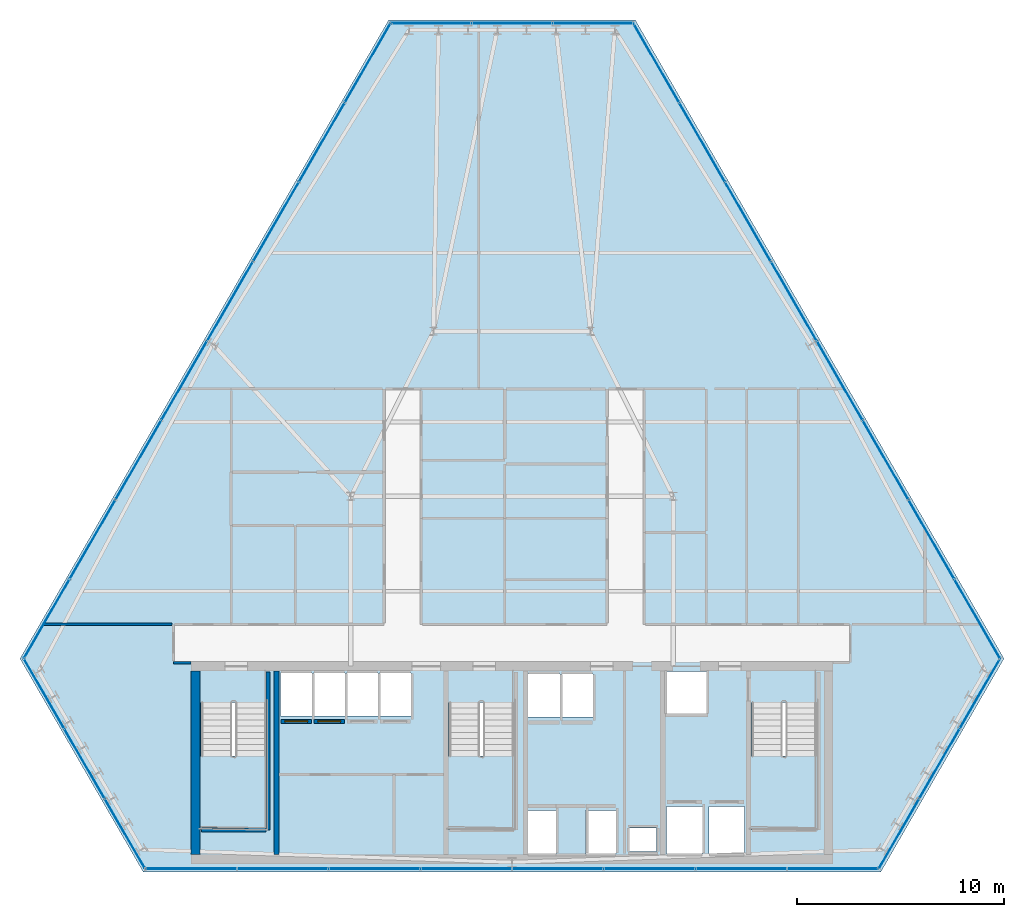
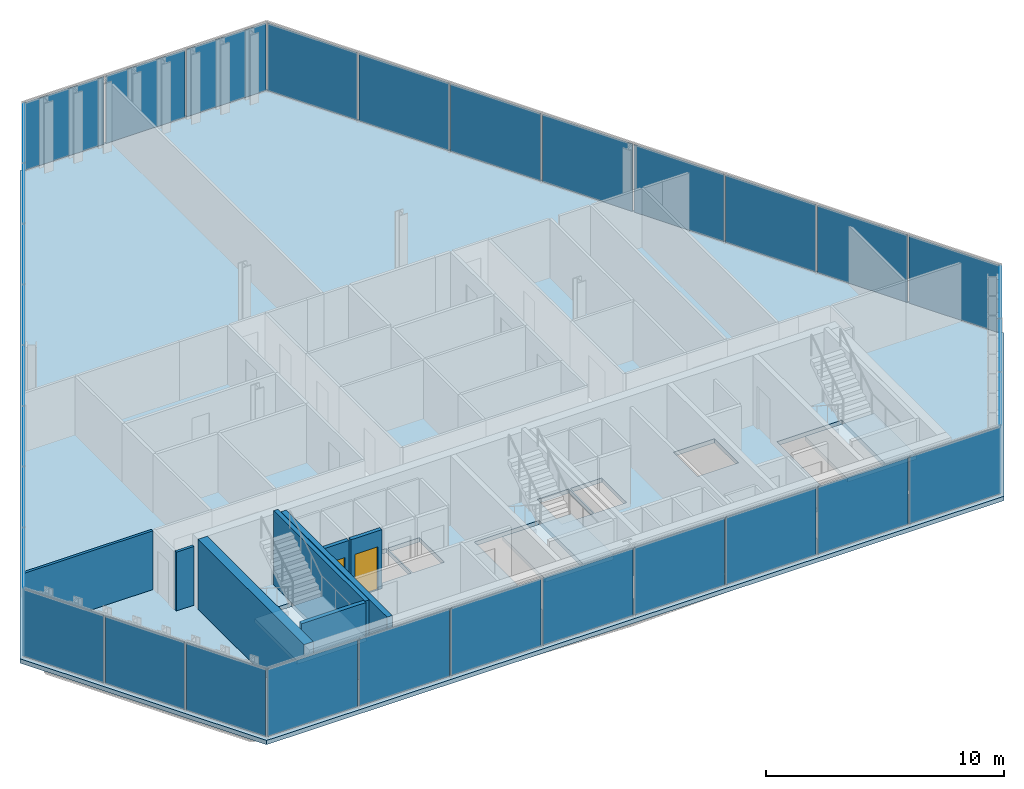
# One storey, part 24 of 31: 33 plates, 8 walls, 4 slabs, 2 doors, 2 openings, 9 elements without a shape of their own.
"""IFC4 building model written with IfcOpenShell, lengths in metres."""

import ifcopenshell
import ifcopenshell.guid

model = None  # the IFC model being written
_history = None  # IfcOwnerHistory: only IFC2X3 demands one
_inside = {}  # id of a spatial element -> (the spatial element, [elements in it])
_under = {}  # id of a project, library or spatial element -> (it, [spatial elements below it])
_declared = {}  # id of a project -> (the project, [libraries it declares])
_typed = {}  # id of a type object -> (the type object, [elements of that type])
_made_of = {}  # id of a material, layer set ... -> (it, [elements and type objects made of it])


def new_model(schema):
    """Start an empty IFC model of exactly this schema.

    Asked for "IFC4X3", IfcOpenShell would pick the latest addendum, in which some entities
    have other attributes; the version numbers below select the first issue.
    IFC2X3 requires an IfcOwnerHistory on every rooted entity: one is made here for all.
    """
    global model, _history
    if schema == "IFC4X3":
        model = ifcopenshell.file(schema_version=(4, 3, 0, 0))
    else:
        model = ifcopenshell.file(schema=schema)
    _inside.clear()
    _under.clear()
    _declared.clear()
    _typed.clear()
    _made_of.clear()
    _history = None
    if model.schema == "IFC2X3":
        org = make("IfcOrganization", Name="unknown")
        user = make(
            "IfcPersonAndOrganization",
            ThePerson=make("IfcPerson", FamilyName="unknown"),
            TheOrganization=org,
        )
        app = make(
            "IfcApplication",
            ApplicationDeveloper=org,
            Version="unknown",
            ApplicationFullName="unknown",
            ApplicationIdentifier="unknown",
        )
        _history = make(
            "IfcOwnerHistory",
            OwningUser=user,
            OwningApplication=app,
            ChangeAction="ADDED",
            CreationDate=0,
        )
    return model


def make(cls, **values):
    """One entity of the class cls with the attributes given. An attribute that is None is left unset."""
    return model.create_entity(
        cls, **{name: value for name, value in values.items() if value is not None}
    )


def rooted(cls, **values):
    """An entity with a GlobalId (a new one), such as an element, a storey or a relation."""
    return make(cls, GlobalId=ifcopenshell.guid.new(), OwnerHistory=_history, **values)


def si_unit(unit_type, name, prefix=None):
    """IfcSIUnit, for example si_unit("LENGTHUNIT", "METRE", prefix="MILLI")."""
    return make("IfcSIUnit", UnitType=unit_type, Prefix=prefix, Name=name)


def assignment(units):
    """IfcUnitAssignment: the units of a project."""
    return None if units is None else make("IfcUnitAssignment", Units=units)


def point(xyz):
    """IfcCartesianPoint."""
    return None if xyz is None else make("IfcCartesianPoint", Coordinates=xyz)


def direction(xyz):
    """IfcDirection."""
    return None if xyz is None else make("IfcDirection", DirectionRatios=xyz)


def frame(location, z_axis=None, x_axis=None):
    """IfcAxis2Placement3D, a coordinate frame: its origin and axes. An axis left out is left unset."""
    return make(
        "IfcAxis2Placement3D",
        Location=point(location),
        Axis=direction(z_axis),
        RefDirection=direction(x_axis),
    )


def frame_2d(location, x_axis=None):
    """IfcAxis2Placement2D, a coordinate frame in the plane: its origin and x axis."""
    return make(
        "IfcAxis2Placement2D", Location=point(location), RefDirection=direction(x_axis)
    )


def origin():
    """The frame at (0, 0, 0) with its axes left unset."""
    return frame((0.0, 0.0, 0.0))


def origin_2d():
    """The frame at (0, 0) in the plane with its x axis left unset."""
    return frame_2d((0.0, 0.0))


def place(relative_to, where):
    """IfcLocalPlacement: puts the frame where relative to a parent placement (None: the world)."""
    return make(
        "IfcLocalPlacement", PlacementRelTo=relative_to, RelativePlacement=where
    )


def context(
    kind, dimensions, precision=None, world=None, true_north=None, identifier=None
):
    """IfcGeometricRepresentationContext, for example the 3D "Model" context."""
    return make(
        "IfcGeometricRepresentationContext",
        ContextIdentifier=identifier,
        ContextType=kind,
        CoordinateSpaceDimension=dimensions,
        Precision=precision,
        WorldCoordinateSystem=world,
        TrueNorth=true_north,
    )


def subcontext(parent, identifier, kind, view, scale=None):
    """IfcGeometricRepresentationSubContext, for example "Body" below "Model"."""
    return make(
        "IfcGeometricRepresentationSubContext",
        ContextIdentifier=identifier,
        ContextType=kind,
        ParentContext=parent,
        TargetScale=scale,
        TargetView=view,
    )


def project(units=None, contexts=None):
    """IfcProject with its units and contexts."""
    return rooted(
        "IfcProject",
        Name="project",
        RepresentationContexts=contexts,
        UnitsInContext=assignment(units),
    )


def spatial(cls, under=None, at=None, **own):
    """A site, building, storey or space (cls), placed at a placement, below another one or the project."""
    s = rooted(cls, ObjectPlacement=at, **own)
    if under is not None:
        _under.setdefault(under.id(), (under, []))[1].append(s)
    return s


def polyline(points):
    """IfcPolyline through the points."""
    return make("IfcPolyline", Points=[point(p) for p in points])


def profile(cls, at=None, kind="AREA", **sizes):
    """A parametric profile (cls). Its sizes go by their IFC names, for example OverallWidth=200.0."""
    return make(cls, ProfileType=kind, Position=at, **sizes)


def rectangle(**sizes):
    """IfcRectangleProfileDef."""
    return profile("IfcRectangleProfileDef", **sizes)


def outline(outer, holes=None, kind="AREA"):
    """IfcArbitraryClosedProfileDef: a profile drawn as a closed curve; with holes, ...WithVoids."""
    if holes is None:
        return make("IfcArbitraryClosedProfileDef", ProfileType=kind, OuterCurve=outer)
    return make(
        "IfcArbitraryProfileDefWithVoids",
        ProfileType=kind,
        OuterCurve=outer,
        InnerCurves=holes,
    )


def extrude(swept, where, along, depth):
    """IfcExtrudedAreaSolid: the profile swept, set in the frame where, extruded along a direction by depth."""
    return make(
        "IfcExtrudedAreaSolid",
        SweptArea=swept,
        Position=where,
        ExtrudedDirection=direction(along),
        Depth=depth,
    )


def shape(context_of_items, identifier, shape_type, items):
    """IfcShapeRepresentation: the items that make up one representation, for example the "Body"."""
    return make(
        "IfcShapeRepresentation",
        ContextOfItems=context_of_items,
        RepresentationIdentifier=identifier,
        RepresentationType=shape_type,
        Items=items,
    )


def material(Name=None, Category=None):
    """IfcMaterial."""
    return make("IfcMaterial", Name=Name, Category=Category)


def layer(
    of_material, thickness, ventilated=None, Name=None, Category=None, Priority=None
):
    """IfcMaterialLayer: one layer of a wall or slab, of a material (None: an air gap)."""
    return make(
        "IfcMaterialLayer",
        Material=of_material,
        LayerThickness=thickness,
        IsVentilated=ventilated,
        Name=Name,
        Category=Category,
        Priority=Priority,
    )


def layer_set(layers, Name=None):
    """IfcMaterialLayerSet."""
    return make("IfcMaterialLayerSet", MaterialLayers=layers, LayerSetName=Name)


def made_of(thing, what):
    """Note that an element or type object is made of a material, layer set ...; save() writes the relation."""
    if what is not None:
        _made_of.setdefault(what.id(), (what, []))[1].append(thing)
    return thing


def type_object(cls, material=None, **own):
    """A type object (cls), such as IfcWallType, which elements share."""
    return made_of(rooted(cls, **own), material)


def element(
    cls,
    number,
    at=None,
    inside=None,
    cuts=None,
    type_object=None,
    material=None,
    context=None,
    identifier="Body",
    shape_type=None,
    held_by="IfcProductDefinitionShape",
    body=None,
    shapes=None,
    **own,
):
    """One element of the class cls, such as IfcWall. Its Tag is "e" and its number.

    at: its placement. inside: the storey or other place that contains it. cuts: it is an
    opening in that element (IfcRelVoidsElement). A single representation is given by context,
    identifier, shape_type and body (its items); several are given by shapes. held_by: the class
    of the entity that holds the representations. save() writes the other relations.
    """
    e = rooted(cls, Tag="e%d" % number, ObjectPlacement=at, **own)
    if body is not None:
        shapes = [shape(context, identifier, shape_type, body)]
    if shapes is not None:
        e.Representation = make(held_by, Representations=shapes)
    if inside is not None:
        _inside.setdefault(inside.id(), (inside, []))[1].append(e)
    if cuts is not None:
        rooted(
            "IfcRelVoidsElement", RelatingBuildingElement=cuts, RelatedOpeningElement=e
        )
    if type_object is not None:
        _typed.setdefault(type_object.id(), (type_object, []))[1].append(e)
    return made_of(e, material)


def fill(opening, filler):
    """IfcRelFillsElement: the door or window that sits in an opening."""
    return rooted(
        "IfcRelFillsElement",
        RelatingOpeningElement=opening,
        RelatedBuildingElement=filler,
    )


def aggregate(whole, parts):
    """IfcRelAggregates: a whole, such as a stair, and the parts it consists of."""
    return rooted("IfcRelAggregates", RelatingObject=whole, RelatedObjects=parts)


def save(model, path):
    """Write the relations noted so far, then the file.

    IfcRelAggregates (storeys below a building ...), IfcRelContainedInSpatialStructure (elements
    in a storey), IfcRelDefinesByType, IfcRelAssociatesMaterial and IfcRelDeclares: one each for
    every whole, place, type object, material and project.
    """
    for whole, parts in _under.values():
        aggregate(whole, parts)
    for where, things in _inside.values():
        rooted(
            "IfcRelContainedInSpatialStructure",
            RelatedElements=things,
            RelatingStructure=where,
        )
    for kind, things in _typed.values():
        rooted("IfcRelDefinesByType", RelatedObjects=things, RelatingType=kind)
    for what, things in _made_of.values():
        rooted("IfcRelAssociatesMaterial", RelatedObjects=things, RelatingMaterial=what)
    for by, libraries in _declared.values():
        rooted("IfcRelDeclares", RelatingContext=by, RelatedDefinitions=libraries)
    model.write(path)


model = new_model("IFC4")

# Units and contexts
model_context = context("Model", 3, precision=1e-05, world=origin(), true_north=direction((0.0, 1.0)))
body_context = subcontext(model_context, "Body", "Model", "MODEL_VIEW")
ifc_project = project(units=[si_unit("LENGTHUNIT", "METRE"), si_unit("AREAUNIT", "SQUARE_METRE"), si_unit("VOLUMEUNIT", "CUBIC_METRE"), si_unit("PLANEANGLEUNIT", "RADIAN"), si_unit("MASSUNIT", "GRAM", prefix="KILO")], contexts=[model_context])

# Site, building, storey
site_placement = place(None, origin())
site = spatial("IfcSite", under=ifc_project, at=site_placement, CompositionType="ELEMENT")
building_placement = place(site_placement, origin())
building = spatial("IfcBuilding", under=site, at=building_placement, Name="Ndaravel Arena Tower", CompositionType="ELEMENT")
storey_placement = place(building_placement, frame((0.0, 0.0, 142.199951171875)))
storey = spatial("IfcBuildingStorey", under=building, at=storey_placement, Name="L33", CompositionType="ELEMENT", Elevation=142.199951171875)

# Curtain wall, plate
ifc_material_1 = material(Name="Aluminium", Category="aluminium")
ifc_layer_1 = layer(ifc_material_1, 0.179931640625)
ifc_layer_set_1 = layer_set([ifc_layer_1], Name="Aluminium")
curtain_wall_type_1 = type_object("IfcCurtainWallType", Name="CW-SYS-01", PredefinedType="NOTDEFINED", material=ifc_layer_set_1)
curtain_wall_1_placement = place(storey_placement, origin())
curtain_wall_1 = element("IfcCurtainWall", 1, at=curtain_wall_1_placement, inside=storey, type_object=curtain_wall_type_1, Name="L33 Faceted Crystal Curtain Wall CW-L33-E02", PredefinedType="NOTDEFINED")
ifc_material_2 = material(Name="Glazing", Category="glass")
ifc_layer_2 = layer(ifc_material_2, 0.035888671875)
ifc_layer_set_2 = layer_set([ifc_layer_2], Name="Glazing")
plate_type_1 = type_object("IfcPlateType", Name="PLT-CW-OPVENT", PredefinedType="CURTAIN_PANEL", material=ifc_layer_set_2)
plate_1_placement = place(storey_placement, frame((62.69970703125, 10.251708984375, 0.06005859375), z_axis=(0.0, 0.0, 1.0), x_axis=(0.5, 0.866025403784, 0.0)))
plate_1 = element("IfcPlate", 2, at=plate_1_placement, type_object=plate_type_1, Name="CW-L33-E02 Operable Vent Sash Panel 02", PredefinedType="CURTAIN_PANEL", context=body_context, shape_type="SweptSolid", body=[
    extrude(rectangle(XDim=3.839599609375, YDim=0.035888671875, at=origin_2d()), origin(), (0.0, 0.0, 1.0), 3.4599609375),
])

curtain_wall_2_placement = place(storey_placement, origin())
curtain_wall_2 = element("IfcCurtainWall", 3, at=curtain_wall_2_placement, inside=storey, type_object=curtain_wall_type_1, Name="L33 Faceted Crystal Curtain Wall CW-L33-E04", PredefinedType="NOTDEFINED")
plate_2_placement = place(storey_placement, frame((42.0, 46.10498046875, 0.06005859375), z_axis=(0.0, 0.0, 1.0), x_axis=(-1.0, 0.0, 0.0)))
plate_2 = element("IfcPlate", 4, at=plate_2_placement, type_object=plate_type_1, Name="CW-L33-E04 Operable Vent Sash Panel 02", PredefinedType="CURTAIN_PANEL", context=body_context, shape_type="SweptSolid", body=[
    extrude(rectangle(XDim=3.839599609375, YDim=0.035888671875, at=origin_2d()), origin(), (0.0, 0.0, 1.0), 3.4599609375),
])

ifc_material_3 = material(Name="Aluminium", Category="aluminium")
ifc_layer_3 = layer(ifc_material_3, 0.179931640625)
ifc_layer_set_3 = layer_set([ifc_layer_3], Name="Aluminium")
curtain_wall_type_2 = type_object("IfcCurtainWallType", Name="CW-SYS-02", PredefinedType="NOTDEFINED", material=ifc_layer_set_3)
curtain_wall_3_placement = place(storey_placement, origin())
curtain_wall_3 = element("IfcCurtainWall", 5, at=curtain_wall_3_placement, inside=storey, type_object=curtain_wall_type_2, Name="L33 Faceted Crystal Curtain Wall CW-L33-E06", PredefinedType="NOTDEFINED")
plate_3_placement = place(storey_placement, frame((21.300048828125, 10.251708984375, 0.06005859375), z_axis=(0.0, 0.0, 1.0), x_axis=(0.5, -0.866025403784, 0.0)))
plate_3 = element("IfcPlate", 6, at=plate_3_placement, type_object=plate_type_1, Name="CW-L33-E06 Operable Vent Sash Panel 02", PredefinedType="CURTAIN_PANEL", context=body_context, shape_type="SweptSolid", body=[
    extrude(rectangle(XDim=3.839599609375, YDim=0.035888671875, at=origin_2d()), origin(), (0.0, 0.0, 1.0), 3.4599609375),
])

# Plate
ifc_material_4 = material(Name="Glazing", Category="glass")
ifc_layer_4 = layer(ifc_material_4, 0.031982421875)
ifc_layer_set_4 = layer_set([ifc_layer_4], Name="Glazing")
plate_type_2 = type_object("IfcPlateType", Name="PLT-GLZ-FRIT35", PredefinedType="CURTAIN_PANEL", material=ifc_layer_set_4)
plate_4_placement = place(storey_placement, frame((60.739990234375, 6.857177734375, 0.06005859375), z_axis=(0.0, 0.0, 1.0), x_axis=(0.5, 0.866025403784, 0.0)))
plate_4 = element("IfcPlate", 7, at=plate_4_placement, type_object=plate_type_2, Name="CW-L33-E02 Vision Glass Panel 01", PredefinedType="CURTAIN_PANEL", context=body_context, shape_type="SweptSolid", body=[
    extrude(rectangle(XDim=3.839599609375, YDim=0.035888671875, at=origin_2d()), origin(), (0.0, 0.0, 1.0), 3.4599609375),
])

plate_5_placement = place(storey_placement, frame((64.65966796875, 13.64599609375, 0.06005859375), z_axis=(0.0, 0.0, 1.0), x_axis=(0.5, 0.866025403784, 0.0)))
plate_5 = element("IfcPlate", 8, at=plate_5_placement, type_object=plate_type_2, Name="CW-L33-E02 Vision Glass Panel 03", PredefinedType="CURTAIN_PANEL", context=body_context, shape_type="SweptSolid", body=[
    extrude(rectangle(XDim=3.839599609375, YDim=0.035888671875, at=origin_2d()), origin(), (0.0, 0.0, 1.0), 3.4599609375),
])

aggregate(curtain_wall_1, [plate_4, plate_1, plate_5])

plate_6_placement = place(storey_placement, frame((45.91943359375, 46.10498046875, 0.06005859375), z_axis=(0.0, 0.0, 1.0), x_axis=(-1.0, 0.0, 0.0)))
plate_6 = element("IfcPlate", 9, at=plate_6_placement, type_object=plate_type_2, Name="CW-L33-E04 Vision Glass Panel 01", PredefinedType="CURTAIN_PANEL", context=body_context, shape_type="SweptSolid", body=[
    extrude(rectangle(XDim=3.839599609375, YDim=0.035888671875, at=origin_2d()), origin(), (0.0, 0.0, 1.0), 3.4599609375),
])

plate_7_placement = place(storey_placement, frame((38.08056640625, 46.10498046875, 0.06005859375), z_axis=(0.0, 0.0, 1.0), x_axis=(-1.0, 0.0, 0.0)))
plate_7 = element("IfcPlate", 10, at=plate_7_placement, type_object=plate_type_2, Name="CW-L33-E04 Vision Glass Panel 03", PredefinedType="CURTAIN_PANEL", context=body_context, shape_type="SweptSolid", body=[
    extrude(rectangle(XDim=3.839599609375, YDim=0.035888671875, at=origin_2d()), origin(), (0.0, 0.0, 1.0), 3.4599609375),
])

aggregate(curtain_wall_2, [plate_6, plate_2, plate_7])

ifc_material_5 = material(Name="Glazing", Category="glass")
ifc_layer_5 = layer(ifc_material_5, 0.035888671875)
ifc_layer_set_5 = layer_set([ifc_layer_5], Name="Glazing")
plate_type_3 = type_object("IfcPlateType", Name="PLT-GLZ-FRIT55", PredefinedType="CURTAIN_PANEL", material=ifc_layer_set_5)
plate_8_placement = place(storey_placement, frame((19.34033203125, 13.64599609375, 0.06005859375), z_axis=(0.0, 0.0, 1.0), x_axis=(0.5, -0.866025403784, 0.0)))
plate_8 = element("IfcPlate", 11, at=plate_8_placement, type_object=plate_type_3, Name="CW-L33-E06 Vision Glass Panel 01", PredefinedType="CURTAIN_PANEL", context=body_context, shape_type="SweptSolid", body=[
    extrude(rectangle(XDim=3.839599609375, YDim=0.035888671875, at=origin_2d()), origin(), (0.0, 0.0, 1.0), 3.4599609375),
])

plate_9_placement = place(storey_placement, frame((23.260009765625, 6.857177734375, 0.06005859375), z_axis=(0.0, 0.0, 1.0), x_axis=(0.5, -0.866025403784, 0.0)))
plate_9 = element("IfcPlate", 12, at=plate_9_placement, type_object=plate_type_3, Name="CW-L33-E06 Vision Glass Panel 03", PredefinedType="CURTAIN_PANEL", context=body_context, shape_type="SweptSolid", body=[
    extrude(rectangle(XDim=3.839599609375, YDim=0.035888671875, at=origin_2d()), origin(), (0.0, 0.0, 1.0), 3.4599609375),
])

aggregate(curtain_wall_3, [plate_8, plate_3, plate_9])

# Curtain wall, plates
ifc_material_6 = material(Name="Aluminium", Category="aluminium")
ifc_layer_6 = layer(ifc_material_6, 0.179931640625)
ifc_layer_set_6 = layer_set([ifc_layer_6], Name="Aluminium")
curtain_wall_type_3 = type_object("IfcCurtainWallType", Name="CW-SYS-03", PredefinedType="NOTDEFINED", material=ifc_layer_set_6)
curtain_wall_4_placement = place(storey_placement, origin())
curtain_wall_4 = element("IfcCurtainWall", 13, at=curtain_wall_4_placement, inside=storey, type_object=curtain_wall_type_3, Name="L33 Faceted Crystal Curtain Wall CW-L33-E01", PredefinedType="NOTDEFINED")
ifc_material_7 = material(Name="Glazing", Category="glass")
ifc_layer_7 = layer(ifc_material_7, 0.0400390625)
ifc_layer_set_7 = layer_set([ifc_layer_7], Name="Glazing")
plate_type_4 = type_object("IfcPlateType", Name="PLT-GLZ-LOWIRON", PredefinedType="CURTAIN_PANEL", material=ifc_layer_set_7)
plate_10_placement = place(storey_placement, frame((26.459716796875, 5.159912109375, 0.06005859375), z_axis=(0.0, 0.0, 1.0), x_axis=(1.0, 0.0, 0.0)))
plate_10 = element("IfcPlate", 14, at=plate_10_placement, type_object=plate_type_4, Name="CW-L33-E01 Vision Glass Panel 01", PredefinedType="CURTAIN_PANEL", context=body_context, shape_type="SweptSolid", body=[
    extrude(rectangle(XDim=4.360107421875, YDim=0.035888671875, at=origin_2d()), origin(), (0.0, 0.0, 1.0), 3.4599609375),
])
plate_11_placement = place(storey_placement, frame((30.89990234375, 5.159912109375, 0.06005859375), z_axis=(0.0, 0.0, 1.0), x_axis=(1.0, 0.0, 0.0)))
plate_11 = element("IfcPlate", 15, at=plate_11_placement, type_object=plate_type_4, Name="CW-L33-E01 Vision Glass Panel 02", PredefinedType="CURTAIN_PANEL", context=body_context, shape_type="SweptSolid", body=[
    extrude(rectangle(XDim=4.360107421875, YDim=0.035888671875, at=origin_2d()), origin(), (0.0, 0.0, 1.0), 3.4599609375),
])
plate_12_placement = place(storey_placement, frame((35.33984375, 5.159912109375, 0.06005859375), z_axis=(0.0, 0.0, 1.0), x_axis=(1.0, 0.0, 0.0)))
plate_12 = element("IfcPlate", 16, at=plate_12_placement, type_object=plate_type_4, Name="CW-L33-E01 Vision Glass Panel 03", PredefinedType="CURTAIN_PANEL", context=body_context, shape_type="SweptSolid", body=[
    extrude(rectangle(XDim=4.360107421875, YDim=0.035888671875, at=origin_2d()), origin(), (0.0, 0.0, 1.0), 3.4599609375),
])
plate_13_placement = place(storey_placement, frame((39.780029296875, 5.159912109375, 0.06005859375), z_axis=(0.0, 0.0, 1.0), x_axis=(1.0, 0.0, 0.0)))
plate_13 = element("IfcPlate", 17, at=plate_13_placement, type_object=plate_type_4, Name="CW-L33-E01 Vision Glass Panel 04", PredefinedType="CURTAIN_PANEL", context=body_context, shape_type="SweptSolid", body=[
    extrude(rectangle(XDim=4.360107421875, YDim=0.035888671875, at=origin_2d()), origin(), (0.0, 0.0, 1.0), 3.4599609375),
])
plate_14_placement = place(storey_placement, frame((44.219970703125, 5.159912109375, 0.06005859375), z_axis=(0.0, 0.0, 1.0), x_axis=(1.0, 0.0, 0.0)))
plate_14 = element("IfcPlate", 18, at=plate_14_placement, type_object=plate_type_4, Name="CW-L33-E01 Vision Glass Panel 05", PredefinedType="CURTAIN_PANEL", context=body_context, shape_type="SweptSolid", body=[
    extrude(rectangle(XDim=4.360107421875, YDim=0.035888671875, at=origin_2d()), origin(), (0.0, 0.0, 1.0), 3.4599609375),
])
plate_15_placement = place(storey_placement, frame((48.66015625, 5.159912109375, 0.06005859375), z_axis=(0.0, 0.0, 1.0), x_axis=(1.0, 0.0, 0.0)))
plate_15 = element("IfcPlate", 19, at=plate_15_placement, type_object=plate_type_4, Name="CW-L33-E01 Vision Glass Panel 06", PredefinedType="CURTAIN_PANEL", context=body_context, shape_type="SweptSolid", body=[
    extrude(rectangle(XDim=4.360107421875, YDim=0.035888671875, at=origin_2d()), origin(), (0.0, 0.0, 1.0), 3.4599609375),
])
plate_16_placement = place(storey_placement, frame((53.10009765625, 5.159912109375, 0.06005859375), z_axis=(0.0, 0.0, 1.0), x_axis=(1.0, 0.0, 0.0)))
plate_16 = element("IfcPlate", 20, at=plate_16_placement, type_object=plate_type_4, Name="CW-L33-E01 Vision Glass Panel 07", PredefinedType="CURTAIN_PANEL", context=body_context, shape_type="SweptSolid", body=[
    extrude(rectangle(XDim=4.360107421875, YDim=0.035888671875, at=origin_2d()), origin(), (0.0, 0.0, 1.0), 3.4599609375),
])
plate_17_placement = place(storey_placement, frame((57.540283203125, 5.159912109375, 0.06005859375), z_axis=(0.0, 0.0, 1.0), x_axis=(1.0, 0.0, 0.0)))
plate_17 = element("IfcPlate", 21, at=plate_17_placement, type_object=plate_type_4, Name="CW-L33-E01 Vision Glass Panel 08", PredefinedType="CURTAIN_PANEL", context=body_context, shape_type="SweptSolid", body=[
    extrude(rectangle(XDim=4.360107421875, YDim=0.035888671875, at=origin_2d()), origin(), (0.0, 0.0, 1.0), 3.4599609375),
])
aggregate(curtain_wall_4, [plate_10, plate_11, plate_12, plate_13, plate_14, plate_15, plate_16, plate_17])

curtain_wall_5_placement = place(storey_placement, origin())
curtain_wall_5 = element("IfcCurtainWall", 22, at=curtain_wall_5_placement, inside=storey, type_object=curtain_wall_type_3, Name="L33 Faceted Crystal Curtain Wall CW-L33-E03", PredefinedType="NOTDEFINED")
plate_18_placement = place(storey_placement, frame((64.529541015625, 17.265869140625, 0.06005859375), z_axis=(0.0, 0.0, 1.0), x_axis=(-0.5, 0.866025403784, 0.0)))
plate_18 = element("IfcPlate", 23, at=plate_18_placement, type_object=plate_type_4, Name="CW-L33-E03 Vision Glass Panel 01", PredefinedType="CURTAIN_PANEL", context=body_context, shape_type="SweptSolid", body=[
    extrude(rectangle(XDim=4.360107421875, YDim=0.035888671875, at=origin_2d()), origin(), (0.0, 0.0, 1.0), 3.4599609375),
])
plate_19_placement = place(storey_placement, frame((62.3095703125, 21.111083984375, 0.06005859375), z_axis=(0.0, 0.0, 1.0), x_axis=(-0.5, 0.866025403784, 0.0)))
plate_19 = element("IfcPlate", 24, at=plate_19_placement, type_object=plate_type_4, Name="CW-L33-E03 Vision Glass Panel 02", PredefinedType="CURTAIN_PANEL", context=body_context, shape_type="SweptSolid", body=[
    extrude(rectangle(XDim=4.360107421875, YDim=0.035888671875, at=origin_2d()), origin(), (0.0, 0.0, 1.0), 3.4599609375),
])
plate_20_placement = place(storey_placement, frame((60.08935546875, 24.956298828125, 0.06005859375), z_axis=(0.0, 0.0, 1.0), x_axis=(-0.5, 0.866025403784, 0.0)))
plate_20 = element("IfcPlate", 25, at=plate_20_placement, type_object=plate_type_4, Name="CW-L33-E03 Vision Glass Panel 03", PredefinedType="CURTAIN_PANEL", context=body_context, shape_type="SweptSolid", body=[
    extrude(rectangle(XDim=4.360107421875, YDim=0.035888671875, at=origin_2d()), origin(), (0.0, 0.0, 1.0), 3.4599609375),
])
plate_21_placement = place(storey_placement, frame((57.869384765625, 28.801513671875, 0.06005859375), z_axis=(0.0, 0.0, 1.0), x_axis=(-0.5, 0.866025403784, 0.0)))
plate_21 = element("IfcPlate", 26, at=plate_21_placement, type_object=plate_type_4, Name="CW-L33-E03 Vision Glass Panel 04", PredefinedType="CURTAIN_PANEL", context=body_context, shape_type="SweptSolid", body=[
    extrude(rectangle(XDim=4.360107421875, YDim=0.035888671875, at=origin_2d()), origin(), (0.0, 0.0, 1.0), 3.4599609375),
])
plate_22_placement = place(storey_placement, frame((55.6494140625, 32.646728515625, 0.06005859375), z_axis=(0.0, 0.0, 1.0), x_axis=(-0.5, 0.866025403784, 0.0)))
plate_22 = element("IfcPlate", 27, at=plate_22_placement, type_object=plate_type_4, Name="CW-L33-E03 Vision Glass Panel 05", PredefinedType="CURTAIN_PANEL", context=body_context, shape_type="SweptSolid", body=[
    extrude(rectangle(XDim=4.360107421875, YDim=0.035888671875, at=origin_2d()), origin(), (0.0, 0.0, 1.0), 3.4599609375),
])
plate_23_placement = place(storey_placement, frame((53.429443359375, 36.491943359375, 0.06005859375), z_axis=(0.0, 0.0, 1.0), x_axis=(-0.5, 0.866025403784, 0.0)))
plate_23 = element("IfcPlate", 28, at=plate_23_placement, type_object=plate_type_4, Name="CW-L33-E03 Vision Glass Panel 06", PredefinedType="CURTAIN_PANEL", context=body_context, shape_type="SweptSolid", body=[
    extrude(rectangle(XDim=4.360107421875, YDim=0.035888671875, at=origin_2d()), origin(), (0.0, 0.0, 1.0), 3.4599609375),
])
plate_24_placement = place(storey_placement, frame((51.209228515625, 40.337158203125, 0.06005859375), z_axis=(0.0, 0.0, 1.0), x_axis=(-0.5, 0.866025403784, 0.0)))
plate_24 = element("IfcPlate", 29, at=plate_24_placement, type_object=plate_type_4, Name="CW-L33-E03 Vision Glass Panel 07", PredefinedType="CURTAIN_PANEL", context=body_context, shape_type="SweptSolid", body=[
    extrude(rectangle(XDim=4.360107421875, YDim=0.035888671875, at=origin_2d()), origin(), (0.0, 0.0, 1.0), 3.4599609375),
])
plate_25_placement = place(storey_placement, frame((48.9892578125, 44.182373046875, 0.06005859375), z_axis=(0.0, 0.0, 1.0), x_axis=(-0.5, 0.866025403784, 0.0)))
plate_25 = element("IfcPlate", 30, at=plate_25_placement, type_object=plate_type_4, Name="CW-L33-E03 Vision Glass Panel 08", PredefinedType="CURTAIN_PANEL", context=body_context, shape_type="SweptSolid", body=[
    extrude(rectangle(XDim=4.360107421875, YDim=0.035888671875, at=origin_2d()), origin(), (0.0, 0.0, 1.0), 3.4599609375),
])
aggregate(curtain_wall_5, [plate_18, plate_19, plate_20, plate_21, plate_22, plate_23, plate_24, plate_25])

curtain_wall_6_placement = place(storey_placement, origin())
curtain_wall_6 = element("IfcCurtainWall", 31, at=curtain_wall_6_placement, inside=storey, type_object=curtain_wall_type_3, Name="L33 Faceted Crystal Curtain Wall CW-L33-E05", PredefinedType="NOTDEFINED")
plate_26_placement = place(storey_placement, frame((35.0107421875, 44.182373046875, 0.06005859375), z_axis=(0.0, 0.0, 1.0), x_axis=(-0.5, -0.866025403784, 0.0)))
plate_26 = element("IfcPlate", 32, at=plate_26_placement, type_object=plate_type_4, Name="CW-L33-E05 Vision Glass Panel 01", PredefinedType="CURTAIN_PANEL", context=body_context, shape_type="SweptSolid", body=[
    extrude(rectangle(XDim=4.360107421875, YDim=0.035888671875, at=origin_2d()), origin(), (0.0, 0.0, 1.0), 3.4599609375),
])
plate_27_placement = place(storey_placement, frame((32.790771484375, 40.337158203125, 0.06005859375), z_axis=(0.0, 0.0, 1.0), x_axis=(-0.5, -0.866025403784, 0.0)))
plate_27 = element("IfcPlate", 33, at=plate_27_placement, type_object=plate_type_4, Name="CW-L33-E05 Vision Glass Panel 02", PredefinedType="CURTAIN_PANEL", context=body_context, shape_type="SweptSolid", body=[
    extrude(rectangle(XDim=4.360107421875, YDim=0.035888671875, at=origin_2d()), origin(), (0.0, 0.0, 1.0), 3.4599609375),
])
plate_28_placement = place(storey_placement, frame((30.570556640625, 36.491943359375, 0.06005859375), z_axis=(0.0, 0.0, 1.0), x_axis=(-0.5, -0.866025403784, 0.0)))
plate_28 = element("IfcPlate", 34, at=plate_28_placement, type_object=plate_type_4, Name="CW-L33-E05 Vision Glass Panel 03", PredefinedType="CURTAIN_PANEL", context=body_context, shape_type="SweptSolid", body=[
    extrude(rectangle(XDim=4.360107421875, YDim=0.035888671875, at=origin_2d()), origin(), (0.0, 0.0, 1.0), 3.4599609375),
])
plate_29_placement = place(storey_placement, frame((28.3505859375, 32.646728515625, 0.06005859375), z_axis=(0.0, 0.0, 1.0), x_axis=(-0.5, -0.866025403784, 0.0)))
plate_29 = element("IfcPlate", 35, at=plate_29_placement, type_object=plate_type_4, Name="CW-L33-E05 Vision Glass Panel 04", PredefinedType="CURTAIN_PANEL", context=body_context, shape_type="SweptSolid", body=[
    extrude(rectangle(XDim=4.360107421875, YDim=0.035888671875, at=origin_2d()), origin(), (0.0, 0.0, 1.0), 3.4599609375),
])
plate_30_placement = place(storey_placement, frame((26.130615234375, 28.801513671875, 0.06005859375), z_axis=(0.0, 0.0, 1.0), x_axis=(-0.5, -0.866025403784, 0.0)))
plate_30 = element("IfcPlate", 36, at=plate_30_placement, type_object=plate_type_4, Name="CW-L33-E05 Vision Glass Panel 05", PredefinedType="CURTAIN_PANEL", context=body_context, shape_type="SweptSolid", body=[
    extrude(rectangle(XDim=4.360107421875, YDim=0.035888671875, at=origin_2d()), origin(), (0.0, 0.0, 1.0), 3.4599609375),
])
plate_31_placement = place(storey_placement, frame((23.91064453125, 24.956298828125, 0.06005859375), z_axis=(0.0, 0.0, 1.0), x_axis=(-0.5, -0.866025403784, 0.0)))
plate_31 = element("IfcPlate", 37, at=plate_31_placement, type_object=plate_type_4, Name="CW-L33-E05 Vision Glass Panel 06", PredefinedType="CURTAIN_PANEL", context=body_context, shape_type="SweptSolid", body=[
    extrude(rectangle(XDim=4.360107421875, YDim=0.035888671875, at=origin_2d()), origin(), (0.0, 0.0, 1.0), 3.4599609375),
])
plate_32_placement = place(storey_placement, frame((21.6904296875, 21.111083984375, 0.06005859375), z_axis=(0.0, 0.0, 1.0), x_axis=(-0.5, -0.866025403784, 0.0)))
plate_32 = element("IfcPlate", 38, at=plate_32_placement, type_object=plate_type_4, Name="CW-L33-E05 Vision Glass Panel 07", PredefinedType="CURTAIN_PANEL", context=body_context, shape_type="SweptSolid", body=[
    extrude(rectangle(XDim=4.360107421875, YDim=0.035888671875, at=origin_2d()), origin(), (0.0, 0.0, 1.0), 3.4599609375),
])
plate_33_placement = place(storey_placement, frame((19.470458984375, 17.265869140625, 0.06005859375), z_axis=(0.0, 0.0, 1.0), x_axis=(-0.5, -0.866025403784, 0.0)))
plate_33 = element("IfcPlate", 39, at=plate_33_placement, type_object=plate_type_4, Name="CW-L33-E05 Vision Glass Panel 08", PredefinedType="CURTAIN_PANEL", context=body_context, shape_type="SweptSolid", body=[
    extrude(rectangle(XDim=4.360107421875, YDim=0.035888671875, at=origin_2d()), origin(), (0.0, 0.0, 1.0), 3.4599609375),
])
aggregate(curtain_wall_6, [plate_26, plate_27, plate_28, plate_29, plate_30, plate_31, plate_32, plate_33])

# Stair, slab
ifc_material_8 = material(Name="Concrete C40/50", Category="concrete")
stair_type = type_object("IfcStairType", Name="STAIR-CORE-HT", PredefinedType="HALF_TURN_STAIR", material=ifc_material_8)
stair_1_placement = place(storey_placement, origin())
stair_1 = element("IfcStair", 40, at=stair_1_placement, inside=storey, type_object=stair_type, Name="L33 ST-1", PredefinedType="HALF_TURN_STAIR")
ifc_material_9 = material(Name="Concrete C40/50", Category="concrete")
ifc_layer_8 = layer(ifc_material_9, 0.199951171875)
ifc_layer_set_8 = layer_set([ifc_layer_8], Name="Concrete C40/50")
slab_type_1 = type_object("IfcSlabType", Name="SLAB-STAIR-LANDING", PredefinedType="LANDING", material=ifc_layer_set_8)
slab_1_placement = place(storey_placement, frame((0.0, 0.0, 1.699951171875)))
slab_1 = element("IfcSlab", 41, at=slab_1_placement, type_object=slab_type_1, Name="ST-1 landing 1", PredefinedType="LANDING", context=body_context, shape_type="SweptSolid", body=[
    extrude(outline(polyline([(26.81005859375, 10.6298828125), (26.81005859375, 7.070068359375), (30.169921875, 7.070068359375), (30.169921875, 10.6298828125), (26.81005859375, 10.6298828125)])), origin(), (0.0, 0.0, 1.0), 0.2001953125),
])
aggregate(stair_1, [slab_1])

stair_2_placement = place(storey_placement, origin())
stair_2 = element("IfcStair", 42, at=stair_2_placement, inside=storey, type_object=stair_type, Name="L33 ST-2", PredefinedType="HALF_TURN_STAIR")
slab_2_placement = place(storey_placement, frame((0.0, 0.0, 1.699951171875)))
slab_2 = element("IfcSlab", 43, at=slab_2_placement, type_object=slab_type_1, Name="ST-2 landing 1", PredefinedType="LANDING", context=body_context, shape_type="SweptSolid", body=[
    extrude(outline(polyline([(38.81005859375, 10.6298828125), (38.81005859375, 7.070068359375), (42.169921875, 7.070068359375), (42.169921875, 10.6298828125), (38.81005859375, 10.6298828125)])), origin(), (0.0, 0.0, 1.0), 0.2001953125),
])
aggregate(stair_2, [slab_2])

stair_3_placement = place(storey_placement, origin())
stair_3 = element("IfcStair", 44, at=stair_3_placement, inside=storey, type_object=stair_type, Name="L33 ST-3", PredefinedType="HALF_TURN_STAIR")
slab_3_placement = place(storey_placement, frame((0.0, 0.0, 1.699951171875)))
slab_3 = element("IfcSlab", 45, at=slab_3_placement, type_object=slab_type_1, Name="ST-3 landing 1", PredefinedType="LANDING", context=body_context, shape_type="SweptSolid", body=[
    extrude(outline(polyline([(53.4599609375, 10.6298828125), (53.4599609375, 7.070068359375), (56.820068359375, 7.070068359375), (56.820068359375, 10.6298828125), (53.4599609375, 10.6298828125)])), origin(), (0.0, 0.0, 1.0), 0.2001953125),
])
aggregate(stair_3, [slab_3])

# Slab
ifc_material_10 = material(Name="Concrete C40/50", Category="concrete")
ifc_layer_9 = layer(ifc_material_10, 0.219970703125)
ifc_layer_set_9 = layer_set([ifc_layer_9], Name="Concrete C40/50")
slab_type_2 = type_object("IfcSlabType", Name="SLAB-TWR-220", PredefinedType="FLOOR", material=ifc_layer_set_9)
slab_4_placement = place(storey_placement, frame((0.0, 0.0, -0.219970703125)))
element("IfcSlab", 46, at=slab_4_placement, inside=storey, type_object=slab_type_2, Name="L33 Structural Floor Slab", PredefinedType="FLOOR", context=body_context, shape_type="SweptSolid", body=[
    extrude(outline(polyline([(18.17578125, 15.34326171875), (24.1474609375, 5.0), (59.8525390625, 5.0), (65.82421875, 15.34326171875), (47.9716796875, 46.264892578125), (36.0283203125, 46.264892578125), (18.17578125, 15.34326171875)]), holes=[polyline([(26.949951171875, 13.215087890625), (26.949951171875, 7.14990234375), (30.090087890625, 7.14990234375), (30.090087890625, 13.215087890625), (26.949951171875, 13.215087890625)]), polyline([(38.949951171875, 13.215087890625), (38.949951171875, 7.14990234375), (42.090087890625, 7.14990234375), (42.090087890625, 13.215087890625), (38.949951171875, 13.215087890625)]), polyline([(53.60009765625, 13.215087890625), (53.60009765625, 7.14990234375), (56.739990234375, 7.14990234375), (56.739990234375, 13.215087890625), (53.60009765625, 13.215087890625)]), polyline([(30.784912109375, 12.56005859375), (32.31494140625, 12.56005859375), (32.31494140625, 14.639892578125), (30.784912109375, 14.639892578125), (30.784912109375, 12.56005859375)]), polyline([(32.385009765625, 12.56005859375), (33.9150390625, 12.56005859375), (33.9150390625, 14.639892578125), (32.385009765625, 14.639892578125), (32.385009765625, 12.56005859375)]), polyline([(33.985107421875, 12.56005859375), (35.514892578125, 12.56005859375), (35.514892578125, 14.639892578125), (33.985107421875, 14.639892578125), (33.985107421875, 12.56005859375)]), polyline([(35.5849609375, 12.56005859375), (37.114990234375, 12.56005859375), (37.114990234375, 14.639892578125), (35.5849609375, 14.639892578125), (35.5849609375, 12.56005859375)]), polyline([(42.659912109375, 5.909912109375), (44.139892578125, 5.909912109375), (44.139892578125, 7.989990234375), (42.659912109375, 7.989990234375), (42.659912109375, 5.909912109375)]), polyline([(45.56005859375, 5.909912109375), (47.0400390625, 5.909912109375), (47.0400390625, 7.989990234375), (45.56005859375, 7.989990234375), (45.56005859375, 5.909912109375)]), polyline([(42.784912109375, 12.510009765625), (44.31494140625, 12.510009765625), (44.31494140625, 14.590087890625), (42.784912109375, 14.590087890625), (42.784912109375, 12.510009765625)]), polyline([(44.385009765625, 12.510009765625), (45.9150390625, 12.510009765625), (45.9150390625, 14.590087890625), (44.385009765625, 14.590087890625), (44.385009765625, 12.510009765625)]), polyline([(49.485107421875, 5.909912109375), (51.215087890625, 5.909912109375), (51.215087890625, 8.18994140625), (49.485107421875, 8.18994140625), (49.485107421875, 5.909912109375)]), polyline([(51.534912109375, 5.909912109375), (53.264892578125, 5.909912109375), (53.264892578125, 8.18994140625), (51.534912109375, 8.18994140625), (51.534912109375, 5.909912109375)]), polyline([(49.4599609375, 12.68505859375), (51.43994140625, 12.68505859375), (51.43994140625, 14.715087890625), (49.4599609375, 14.715087890625), (49.4599609375, 12.68505859375)]), polyline([(47.699951171875, 6.0), (49.0, 6.0), (49.0, 7.139892578125), (47.699951171875, 7.139892578125), (47.699951171875, 6.0)])]), origin(), (0.0, 0.0, 1.0), 0.219970703125),
])

# Walls
ifc_material_11 = material(Name="Concrete C60/75", Category="concrete")
ifc_layer_10 = layer(ifc_material_11, 0.25)
ifc_layer_set_10 = layer_set([ifc_layer_10], Name="Concrete C60/75")
wall_type_1 = type_object("IfcWallType", Name="WALL-CORE-250", PredefinedType="SOLIDWALL", material=ifc_layer_set_10)
wall_1_placement = place(storey_placement, frame((30.60009765625, 5.85009765625, 0.0), z_axis=(0.0, 0.0, 1.0), x_axis=(0.0, 1.0, 0.0)))
element("IfcWall", 47, at=wall_1_placement, inside=storey, type_object=wall_type_1, Name="L33 Core Web Shear Wall 1", PredefinedType="SOLIDWALL", context=body_context, shape_type="SweptSolid", body=[
    extrude(rectangle(XDim=8.89990234375, YDim=0.25, at=frame_2d((4.449951171875, 0.0))), origin(), (0.0, 0.0, 1.0), 3.580078125),
])
ifc_material_12 = material(Name="Concrete C60/75", Category="concrete")
ifc_layer_11 = layer(ifc_material_12, 0.449951171875)
ifc_layer_set_11 = layer_set([ifc_layer_11], Name="Concrete C60/75")
wall_type_2 = type_object("IfcWallType", Name="WALL-CORE-450", PredefinedType="SOLIDWALL", material=ifc_layer_set_11)
wall_2_placement = place(storey_placement, frame((26.675048828125, 5.85009765625, 0.0), z_axis=(0.0, 0.0, 1.0), x_axis=(0.0, 1.0, 0.0)))
element("IfcWall", 48, at=wall_2_placement, inside=storey, type_object=wall_type_2, Name="L33 Core West Shear Wall", PredefinedType="SOLIDWALL", context=body_context, shape_type="SweptSolid", body=[
    extrude(rectangle(XDim=8.89990234375, YDim=0.449951171875, at=frame_2d((4.449951171875, 0.0))), origin(), (0.0, 0.0, 1.0), 3.580078125),
])
ifc_material_13 = material(Name="Gypsum", Category="gypsum")
ifc_layer_12 = layer(ifc_material_13, 0.125)
ifc_layer_set_12 = layer_set([ifc_layer_12], Name="Gypsum")
wall_type_3 = type_object("IfcWallType", Name="WALL-PART-125", PredefinedType="PARTITIONING", material=ifc_layer_set_12)
wall_3_placement = place(storey_placement, frame((26.449951171875, 15.14990234375, 0.0), z_axis=(0.0, 0.0, 1.0), x_axis=(-1.0, 0.0, 0.0)))
element("IfcWall", 49, at=wall_3_placement, inside=storey, type_object=wall_type_3, Name="L33 Interior Partition 003", PredefinedType="PARTITIONING", context=body_context, shape_type="SweptSolid", body=[
    extrude(rectangle(XDim=0.849853515625, YDim=0.125, at=frame_2d((0.4248046875, 0.0))), origin(), (0.0, 0.0, 1.0), 3.010498046875),
])
wall_4_placement = place(storey_placement, frame((19.31689453125, 17.0, 0.0), z_axis=(0.0, 0.0, 1.0), x_axis=(1.0, 0.0, 0.0)))
element("IfcWall", 50, at=wall_4_placement, inside=storey, type_object=wall_type_3, Name="L33 Interior Partition 029", PredefinedType="PARTITIONING", context=body_context, shape_type="SweptSolid", body=[
    extrude(rectangle(XDim=6.218017578125, YDim=0.125, at=frame_2d((3.10888671875, 0.0))), origin(), (0.0, 0.0, 1.0), 3.010498046875),
])
ifc_material_14 = material(Name="Concrete C40/50", Category="concrete")
ifc_layer_13 = layer(ifc_material_14, 0.199951171875)
ifc_layer_set_13 = layer_set([ifc_layer_13], Name="Concrete C40/50")
wall_type_4 = type_object("IfcWallType", Name="WALL-SHAFT-200", PredefinedType="SOLIDWALL", material=ifc_layer_set_13)
wall_5_placement = place(storey_placement, frame((30.18994140625, 14.699951171875, 0.0), z_axis=(0.0, 0.0, 1.0), x_axis=(0.0, -1.0, 0.0)))
element("IfcWall", 51, at=wall_5_placement, inside=storey, type_object=wall_type_4, Name="L33 ST-1 Structural Shaft Wall Right", PredefinedType="SOLIDWALL", context=body_context, shape_type="SweptSolid", body=[
    extrude(rectangle(XDim=7.64990234375, YDim=0.199951171875, at=frame_2d((3.824951171875, 0.0))), origin(), (0.0, 0.0, 1.0), 3.800048828125),
])
wall_6_placement = place(storey_placement, frame((26.969970703125, 7.050048828125, 0.0), z_axis=(0.0, 0.0, 1.0), x_axis=(1.0, 0.0, 0.0)))
element("IfcWall", 52, at=wall_6_placement, inside=storey, type_object=wall_type_4, Name="L33 ST-1 Structural Shaft Wall Far", PredefinedType="SOLIDWALL", context=body_context, shape_type="SweptSolid", body=[
    extrude(rectangle(XDim=3.114990234375, YDim=0.199951171875, at=frame_2d((1.5576171875, 0.0))), origin(), (0.0, 0.0, 1.0), 3.800048828125),
])

# Wall, opening, door
wall_7_placement = place(storey_placement, frame((30.804931640625, 12.300048828125, 0.0), z_axis=(0.0, 0.0, 1.0), x_axis=(1.0, 0.0, 0.0)))
wall_7 = element("IfcWall", 53, at=wall_7_placement, inside=storey, type_object=wall_type_4, Name="L33 PL-M1 Shaft Landing Wall", PredefinedType="SOLIDWALL", context=body_context, shape_type="SweptSolid", body=[
    extrude(rectangle(XDim=1.489990234375, YDim=0.179931640625, at=frame_2d((0.7451171875, 0.0))), origin(), (0.0, 0.0, 1.0), 3.010498046875),
])
opening_1_placement = place(wall_7_placement, frame((0.195068359375, 0.0, 0.0)))
opening_1 = element("IfcOpeningElement", 54, at=opening_1_placement, cuts=wall_7, Name="Opening LD-01", PredefinedType="OPENING", context=body_context, shape_type="SweptSolid", body=[
    extrude(rectangle(XDim=1.10009765625, YDim=2.199951171875, at=frame_2d((0.550048828125, 1.10009765625))), frame((0.0, 0.08984375, 0.0), z_axis=(0.0, -1.0, 0.0), x_axis=(1.0, 0.0, 0.0)), (0.0, 0.0, 1.0), 0.179931640625),
])
ifc_material_15 = material(Name="Steel S355", Category="steel")
door_type = type_object("IfcDoorType", Name="DT-06-LIFT-1100", OperationType="SLIDING_TO_LEFT", PredefinedType="DOOR", material=ifc_material_15)
door_1_placement = place(opening_1_placement, origin())
door_1 = element("IfcDoor", 55, at=door_1_placement, inside=storey, type_object=door_type, Name="L33 Lift PL-M1 Sliding Landing Door", OperationType="SLIDING_TO_LEFT", OverallHeight=2.199951171875, OverallWidth=1.10009765625, PredefinedType="DOOR", context=body_context, shape_type="SweptSolid", body=[
    extrude(rectangle(XDim=1.10009765625, YDim=2.199951171875, at=frame_2d((0.550048828125, 1.10009765625))), frame((0.0, 0.02490234375, 0.0), z_axis=(0.0, -1.0, 0.0), x_axis=(1.0, 0.0, 0.0)), (0.0, 0.0, 1.0), 0.050048828125),
])
fill(opening_1, door_1)

wall_8_placement = place(storey_placement, frame((32.405029296875, 12.300048828125, 0.0), z_axis=(0.0, 0.0, 1.0), x_axis=(1.0, 0.0, 0.0)))
wall_8 = element("IfcWall", 56, at=wall_8_placement, inside=storey, type_object=wall_type_4, Name="L33 PL-M2 Shaft Landing Wall", PredefinedType="SOLIDWALL", context=body_context, shape_type="SweptSolid", body=[
    extrude(rectangle(XDim=1.489990234375, YDim=0.179931640625, at=frame_2d((0.7451171875, 0.0))), origin(), (0.0, 0.0, 1.0), 3.010498046875),
])
opening_2_placement = place(wall_8_placement, frame((0.195068359375, 0.0, 0.0)))
opening_2 = element("IfcOpeningElement", 57, at=opening_2_placement, cuts=wall_8, Name="Opening LD-01", PredefinedType="OPENING", context=body_context, shape_type="SweptSolid", body=[
    extrude(rectangle(XDim=1.10009765625, YDim=2.199951171875, at=frame_2d((0.550048828125, 1.10009765625))), frame((0.0, 0.08984375, 0.0), z_axis=(0.0, -1.0, 0.0), x_axis=(1.0, 0.0, 0.0)), (0.0, 0.0, 1.0), 0.179931640625),
])
door_2_placement = place(opening_2_placement, origin())
door_2 = element("IfcDoor", 58, at=door_2_placement, inside=storey, type_object=door_type, Name="L33 Lift PL-M2 Sliding Landing Door", OperationType="SLIDING_TO_LEFT", OverallHeight=2.199951171875, OverallWidth=1.10009765625, PredefinedType="DOOR", context=body_context, shape_type="SweptSolid", body=[
    extrude(rectangle(XDim=1.10009765625, YDim=2.199951171875, at=frame_2d((0.550048828125, 1.10009765625))), frame((0.0, 0.02490234375, 0.0), z_axis=(0.0, -1.0, 0.0), x_axis=(1.0, 0.0, 0.0)), (0.0, 0.0, 1.0), 0.050048828125),
])
fill(opening_2, door_2)

save(model, "model.ifc")
